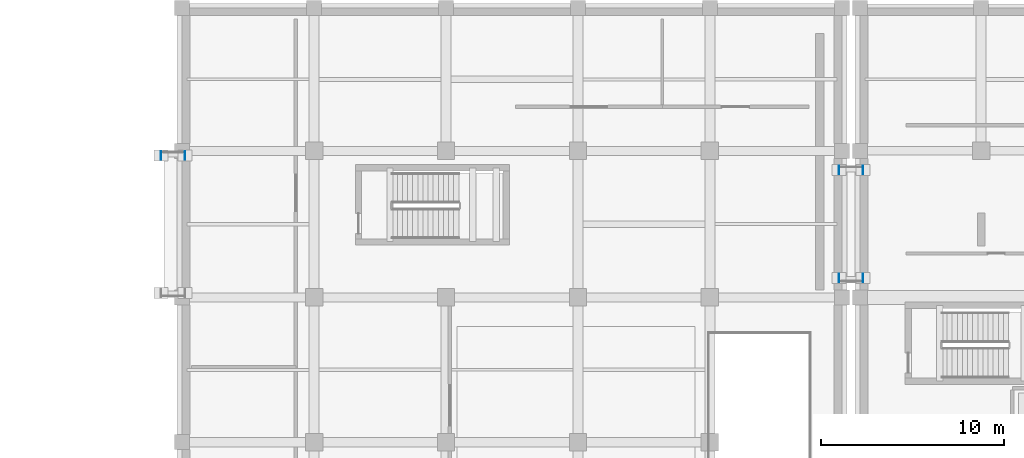
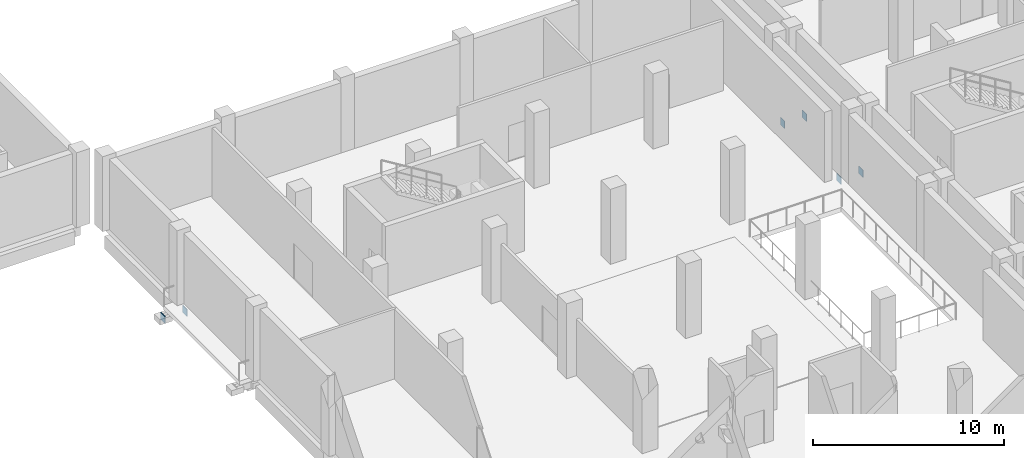
# One storey, part 23 of 31: 6 discrete accessories.
"""IFC4 building model written with IfcOpenShell, lengths in metres."""

from ifc_helpers import new_model, si_unit, direction, frame, origin, origin_2d, place, context, subcontext, project, spatial, rectangle, extrude, material, material_profile, profile_set, type_object, element, save


model = new_model("IFC4")

# Units and contexts
model_context = context("Model", 3, precision=1e-05, world=origin(), true_north=direction((0.0, 1.0)))
body_context = subcontext(model_context, "Body", "Model", "MODEL_VIEW")
ifc_project = project(units=[si_unit("LENGTHUNIT", "METRE"), si_unit("AREAUNIT", "SQUARE_METRE"), si_unit("VOLUMEUNIT", "CUBIC_METRE"), si_unit("PLANEANGLEUNIT", "RADIAN"), si_unit("MASSUNIT", "GRAM", prefix="KILO")], contexts=[model_context])

# Site, building, storey
site_placement = place(None, origin())
site = spatial("IfcSite", under=ifc_project, at=site_placement, CompositionType="ELEMENT")
building_placement = place(site_placement, origin())
building = spatial("IfcBuilding", under=site, at=building_placement, Name="Kelarvand Opera House", CompositionType="ELEMENT")
storey_placement = place(building_placement, frame((0.0, 0.0, -4.800048828125)))
storey = spatial("IfcBuildingStorey", under=building, at=storey_placement, Name="B1", CompositionType="ELEMENT", Elevation=-4.800048828125)

# Discrete accessories
ifc_material = material(Name="Steel S355", Category="steel")
ifc_material_profile = material_profile(ifc_material, rectangle(XDim=0.4599609375, YDim=0.4599609375, at=origin_2d()), Name="Welded Steel Hollow End-Cap Plate 460x460x24", Category="steel")
ifc_profile_set = profile_set([ifc_material_profile], Name="Steel S355")
discrete_accessory_type = type_object("IfcDiscreteAccessoryType", Name="Welded Steel Hollow End-Cap Plate 460x460x24", PredefinedType="SHOE", material=ifc_profile_set)
for number, where, z_axis, x_axis, name in (
    (1, (50.85791015625, 78.14990234375, -0.599853515625), (-1.0, 0.0, 0.0), (0.0, -1.0, 0.0), "Hollow Section Welded End Cap 7"),
    (2, (52.14208984375, 78.14990234375, -0.599853515625), (1.0, 0.0, 0.0), (0.0, 1.0, 0.0), "Hollow Section Welded End Cap 8"),
    (3, (87.85791015625, 71.449951171875, -0.599853515625), (-1.0, 0.0, 0.0), (0.0, -1.0, 0.0), "Hollow Section Welded End Cap 29"),
    (4, (89.14208984375, 71.449951171875, -0.599853515625), (1.0, 0.0, 0.0), (0.0, 1.0, 0.0), "Hollow Section Welded End Cap 30"),
    (5, (87.85791015625, 77.35009765625, -0.599853515625), (-1.0, 0.0, 0.0), (0.0, -1.0, 0.0), "Hollow Section Welded End Cap 31"),
    (6, (89.14208984375, 77.35009765625, -0.599853515625), (1.0, 0.0, 0.0), (0.0, 1.0, 0.0), "Hollow Section Welded End Cap 32"),
):
    element("IfcDiscreteAccessory", number, at=place(storey_placement, frame(where, z_axis=z_axis, x_axis=x_axis)), inside=storey, type_object=discrete_accessory_type, Name=name, PredefinedType="SHOE", context=body_context, shape_type="SweptSolid", body=[
        extrude(rectangle(XDim=0.4599609375, YDim=0.4599609375, at=origin_2d()), origin(), (0.0, 0.0, 1.0), 0.035888671875),
    ])

save(model, "model.ifc")
